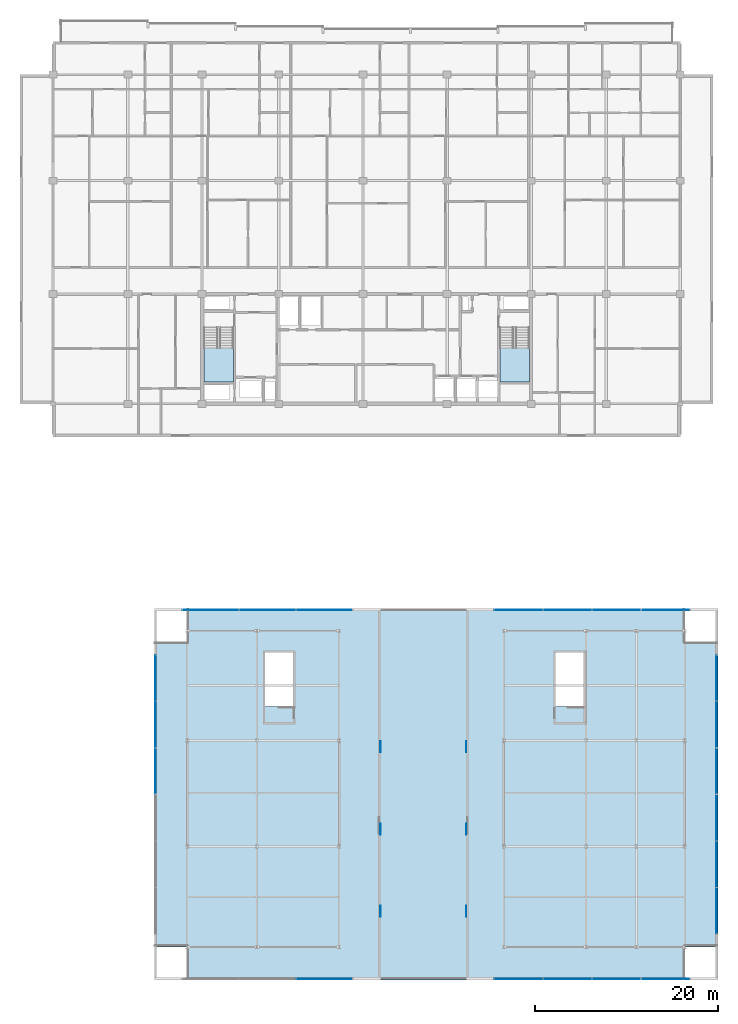
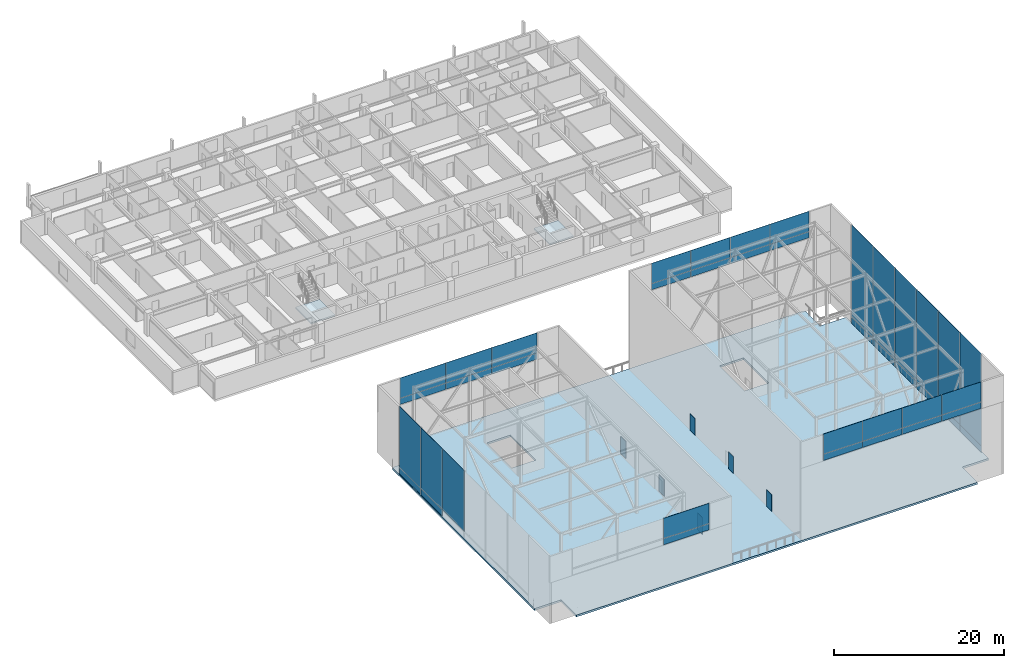
# One storey, part 30 of 42: 47 plates, 3 slabs, 8 elements without a shape of their own.
"""IFC4 building model written with IfcOpenShell, lengths in metres."""

from ifc_helpers import new_model, si_unit, direction, frame, origin, origin_2d, place, context, subcontext, project, spatial, polyline, rectangle, outline, extrude, material, layer, layer_set, type_object, element, aggregate, save


model = new_model("IFC4")

# Units and contexts
model_context = context("Model", 3, precision=1e-05, world=origin(), true_north=direction((0.0, 1.0)))
body_context = subcontext(model_context, "Body", "Model", "MODEL_VIEW")
ifc_project = project(units=[si_unit("LENGTHUNIT", "METRE"), si_unit("AREAUNIT", "SQUARE_METRE"), si_unit("VOLUMEUNIT", "CUBIC_METRE"), si_unit("PLANEANGLEUNIT", "RADIAN"), si_unit("MASSUNIT", "GRAM", prefix="KILO")], contexts=[model_context])

# Site, building, storey
site_placement = place(None, origin())
site = spatial("IfcSite", under=ifc_project, at=site_placement, CompositionType="ELEMENT")
building_placement = place(site_placement, origin())
building = spatial("IfcBuilding", under=site, at=building_placement, Name="Korimba Cascade Residences", CompositionType="ELEMENT")
storey_placement = place(building_placement, frame((0.0, 0.0, 207.60009765625)))
storey = spatial("IfcBuildingStorey", under=building, at=storey_placement, Name="L60", CompositionType="ELEMENT", Elevation=207.60009765625)

# Curtain wall, plates
ifc_material_1 = material(Name="Anodised Aluminium Curtain Wall Framing", Category="aluminium")
ifc_layer_1 = layer(ifc_material_1, 0.179931640625)
ifc_layer_set_1 = layer_set([ifc_layer_1], Name="Anodised Aluminium Curtain Wall Framing")
curtain_wall_type = type_object("IfcCurtainWallType", Name="CW-CRNE-SYS6", PredefinedType="NOTDEFINED", material=ifc_layer_set_1)
curtain_wall_1_placement = place(storey_placement, origin())
curtain_wall_1 = element("IfcCurtainWall", 1, at=curtain_wall_1_placement, inside=storey, type_object=curtain_wall_type, Name="L60 Curtain Wall CW-L60-CRN-W-1", PredefinedType="NOTDEFINED")
ifc_material_2 = material(Name="Insulated Stone-Tone Spandrel Panel", Category="masonry")
ifc_layer_2 = layer(ifc_material_2, 0.0400390625)
ifc_layer_set_2 = layer_set([ifc_layer_2], Name="Insulated Stone-Tone Spandrel Panel")
plate_type_1 = type_object("IfcPlateType", Name="CWP-SPN-40", PredefinedType="USERDEFINED", material=ifc_layer_set_2)
plate_1_placement = place(storey_placement, frame((71.02490234375, 20.14990234375, 0.0), z_axis=(0.0, 0.0, 1.0), x_axis=(0.0, 1.0, 0.0)))
plate_1 = element("IfcPlate", 2, at=plate_1_placement, type_object=plate_type_1, Name="CW-L60-CRN-W-1 Spandrel Panel 5", ObjectType="SPANDREL", PredefinedType="USERDEFINED", context=body_context, shape_type="SweptSolid", body=[
    extrude(rectangle(XDim=5.050048828125, YDim=0.0400390625, at=origin_2d()), origin(), (0.0, 0.0, 1.0), 0.89990234375),
])
plate_2_placement = place(storey_placement, frame((71.02490234375, 25.22998046875, 0.0), z_axis=(0.0, 0.0, 1.0), x_axis=(0.0, 1.0, 0.0)))
plate_2 = element("IfcPlate", 3, at=plate_2_placement, type_object=plate_type_1, Name="CW-L60-CRN-W-1 Spandrel Panel 6", ObjectType="SPANDREL", PredefinedType="USERDEFINED", context=body_context, shape_type="SweptSolid", body=[
    extrude(rectangle(XDim=5.010009765625, YDim=0.0400390625, at=origin_2d()), origin(), (0.0, 0.0, 1.0), 0.89990234375),
])

curtain_wall_2_placement = place(storey_placement, origin())
curtain_wall_2 = element("IfcCurtainWall", 4, at=curtain_wall_2_placement, inside=storey, type_object=curtain_wall_type, Name="L60 Curtain Wall CW-L60-CRN-W-2", PredefinedType="NOTDEFINED")
plate_3_placement = place(storey_placement, frame((77.03662109375, 32.675048828125, 5.849853515625), z_axis=(0.0, 0.0, 1.0), x_axis=(1.0, 0.0, 0.0)))
plate_3 = element("IfcPlate", 5, at=plate_3_placement, type_object=plate_type_1, Name="CW-L60-CRN-W-2 Spandrel Panel 1", ObjectType="SPANDREL", PredefinedType="USERDEFINED", context=body_context, shape_type="SweptSolid", body=[
    extrude(rectangle(XDim=6.143310546875, YDim=0.0400390625, at=origin_2d()), origin(), (0.0, 0.0, 1.0), 0.89990234375),
])
plate_4_placement = place(storey_placement, frame((83.25, 32.675048828125, 5.849853515625), z_axis=(0.0, 0.0, 1.0), x_axis=(1.0, 0.0, 0.0)))
plate_4 = element("IfcPlate", 6, at=plate_4_placement, type_object=plate_type_1, Name="CW-L60-CRN-W-2 Spandrel Panel 2", ObjectType="SPANDREL", PredefinedType="USERDEFINED", context=body_context, shape_type="SweptSolid", body=[
    extrude(rectangle(XDim=6.183349609375, YDim=0.0400390625, at=origin_2d()), origin(), (0.0, 0.0, 1.0), 0.89990234375),
])
plate_5_placement = place(storey_placement, frame((89.46337890625, 32.675048828125, 5.849853515625), z_axis=(0.0, 0.0, 1.0), x_axis=(1.0, 0.0, 0.0)))
plate_5 = element("IfcPlate", 7, at=plate_5_placement, type_object=plate_type_1, Name="CW-L60-CRN-W-2 Spandrel Panel 3", ObjectType="SPANDREL", PredefinedType="USERDEFINED", context=body_context, shape_type="SweptSolid", body=[
    extrude(rectangle(XDim=6.143310546875, YDim=0.0400390625, at=origin_2d()), origin(), (0.0, 0.0, 1.0), 0.89990234375),
])

# Curtain wall, plate
curtain_wall_3_placement = place(storey_placement, origin())
curtain_wall_3 = element("IfcCurtainWall", 8, at=curtain_wall_3_placement, inside=storey, type_object=curtain_wall_type, Name="L60 Curtain Wall CW-L60-CRN-W-3", PredefinedType="NOTDEFINED")
plate_6_placement = place(storey_placement, frame((89.46337890625, -7.675048828125, 5.849853515625), z_axis=(0.0, 0.0, 1.0), x_axis=(1.0, 0.0, 0.0)))
plate_6 = element("IfcPlate", 9, at=plate_6_placement, type_object=plate_type_1, Name="CW-L60-CRN-W-3 Spandrel Panel 3", ObjectType="SPANDREL", PredefinedType="USERDEFINED", context=body_context, shape_type="SweptSolid", body=[
    extrude(rectangle(XDim=6.143310546875, YDim=0.0400390625, at=origin_2d()), origin(), (0.0, 0.0, 1.0), 0.89990234375),
])

# Curtain wall, plates
curtain_wall_4_placement = place(storey_placement, origin())
curtain_wall_4 = element("IfcCurtainWall", 10, at=curtain_wall_4_placement, inside=storey, type_object=curtain_wall_type, Name="L60 Curtain Wall CW-L60-CRN-E-1", PredefinedType="NOTDEFINED")
plate_7_placement = place(storey_placement, frame((132.375, -0.22998046875, 0.0), z_axis=(0.0, 0.0, 1.0), x_axis=(0.0, 1.0, 0.0)))
plate_7 = element("IfcPlate", 11, at=plate_7_placement, type_object=plate_type_1, Name="CW-L60-CRN-E-1 Spandrel Panel 1", ObjectType="SPANDREL", PredefinedType="USERDEFINED", context=body_context, shape_type="SweptSolid", body=[
    extrude(rectangle(XDim=5.010009765625, YDim=0.0400390625, at=origin_2d()), origin(), (0.0, 0.0, 1.0), 0.89990234375),
])
plate_8_placement = place(storey_placement, frame((132.375, 4.85009765625, 0.0), z_axis=(0.0, 0.0, 1.0), x_axis=(0.0, 1.0, 0.0)))
plate_8 = element("IfcPlate", 12, at=plate_8_placement, type_object=plate_type_1, Name="CW-L60-CRN-E-1 Spandrel Panel 2", ObjectType="SPANDREL", PredefinedType="USERDEFINED", context=body_context, shape_type="SweptSolid", body=[
    extrude(rectangle(XDim=5.050048828125, YDim=0.0400390625, at=origin_2d()), origin(), (0.0, 0.0, 1.0), 0.89990234375),
])
plate_9_placement = place(storey_placement, frame((132.375, 9.949951171875, 0.0), z_axis=(0.0, 0.0, 1.0), x_axis=(0.0, 1.0, 0.0)))
plate_9 = element("IfcPlate", 13, at=plate_9_placement, type_object=plate_type_1, Name="CW-L60-CRN-E-1 Spandrel Panel 3", ObjectType="SPANDREL", PredefinedType="USERDEFINED", context=body_context, shape_type="SweptSolid", body=[
    extrude(rectangle(XDim=5.050048828125, YDim=0.0400390625, at=origin_2d()), origin(), (0.0, 0.0, 1.0), 0.89990234375),
])
plate_10_placement = place(storey_placement, frame((132.375, 15.050048828125, 0.0), z_axis=(0.0, 0.0, 1.0), x_axis=(0.0, 1.0, 0.0)))
plate_10 = element("IfcPlate", 14, at=plate_10_placement, type_object=plate_type_1, Name="CW-L60-CRN-E-1 Spandrel Panel 4", ObjectType="SPANDREL", PredefinedType="USERDEFINED", context=body_context, shape_type="SweptSolid", body=[
    extrude(rectangle(XDim=5.050048828125, YDim=0.0400390625, at=origin_2d()), origin(), (0.0, 0.0, 1.0), 0.89990234375),
])
plate_11_placement = place(storey_placement, frame((132.375, 20.14990234375, 0.0), z_axis=(0.0, 0.0, 1.0), x_axis=(0.0, 1.0, 0.0)))
plate_11 = element("IfcPlate", 15, at=plate_11_placement, type_object=plate_type_1, Name="CW-L60-CRN-E-1 Spandrel Panel 5", ObjectType="SPANDREL", PredefinedType="USERDEFINED", context=body_context, shape_type="SweptSolid", body=[
    extrude(rectangle(XDim=5.050048828125, YDim=0.0400390625, at=origin_2d()), origin(), (0.0, 0.0, 1.0), 0.89990234375),
])
plate_12_placement = place(storey_placement, frame((132.375, 25.22998046875, 0.0), z_axis=(0.0, 0.0, 1.0), x_axis=(0.0, 1.0, 0.0)))
plate_12 = element("IfcPlate", 16, at=plate_12_placement, type_object=plate_type_1, Name="CW-L60-CRN-E-1 Spandrel Panel 6", ObjectType="SPANDREL", PredefinedType="USERDEFINED", context=body_context, shape_type="SweptSolid", body=[
    extrude(rectangle(XDim=5.010009765625, YDim=0.0400390625, at=origin_2d()), origin(), (0.0, 0.0, 1.0), 0.89990234375),
])

curtain_wall_5_placement = place(storey_placement, origin())
curtain_wall_5 = element("IfcCurtainWall", 17, at=curtain_wall_5_placement, inside=storey, type_object=curtain_wall_type, Name="L60 Curtain Wall CW-L60-CRN-E-2", PredefinedType="NOTDEFINED")
plate_13_placement = place(storey_placement, frame((110.70751953125, 32.675048828125, 10.349853515625), z_axis=(0.0, 0.0, 1.0), x_axis=(1.0, 0.0, 0.0)))
plate_13 = element("IfcPlate", 18, at=plate_13_placement, type_object=plate_type_1, Name="CW-L60-CRN-E-2 Spandrel Panel 1", ObjectType="SPANDREL", PredefinedType="USERDEFINED", context=body_context, shape_type="SweptSolid", body=[
    extrude(rectangle(XDim=5.284912109375, YDim=0.0400390625, at=origin_2d()), origin(), (0.0, 0.0, 1.0), 0.89990234375),
])
plate_14_placement = place(storey_placement, frame((116.0625, 32.675048828125, 10.349853515625), z_axis=(0.0, 0.0, 1.0), x_axis=(1.0, 0.0, 0.0)))
plate_14 = element("IfcPlate", 19, at=plate_14_placement, type_object=plate_type_1, Name="CW-L60-CRN-E-2 Spandrel Panel 2", ObjectType="SPANDREL", PredefinedType="USERDEFINED", context=body_context, shape_type="SweptSolid", body=[
    extrude(rectangle(XDim=5.324951171875, YDim=0.0400390625, at=origin_2d()), origin(), (0.0, 0.0, 1.0), 0.89990234375),
])
plate_15_placement = place(storey_placement, frame((121.4375, 32.675048828125, 10.349853515625), z_axis=(0.0, 0.0, 1.0), x_axis=(1.0, 0.0, 0.0)))
plate_15 = element("IfcPlate", 20, at=plate_15_placement, type_object=plate_type_1, Name="CW-L60-CRN-E-2 Spandrel Panel 3", ObjectType="SPANDREL", PredefinedType="USERDEFINED", context=body_context, shape_type="SweptSolid", body=[
    extrude(rectangle(XDim=5.324951171875, YDim=0.0400390625, at=origin_2d()), origin(), (0.0, 0.0, 1.0), 0.89990234375),
])
plate_16_placement = place(storey_placement, frame((126.79248046875, 32.675048828125, 10.349853515625), z_axis=(0.0, 0.0, 1.0), x_axis=(1.0, 0.0, 0.0)))
plate_16 = element("IfcPlate", 21, at=plate_16_placement, type_object=plate_type_1, Name="CW-L60-CRN-E-2 Spandrel Panel 4", ObjectType="SPANDREL", PredefinedType="USERDEFINED", context=body_context, shape_type="SweptSolid", body=[
    extrude(rectangle(XDim=5.284912109375, YDim=0.0400390625, at=origin_2d()), origin(), (0.0, 0.0, 1.0), 0.89990234375),
])

curtain_wall_6_placement = place(storey_placement, origin())
curtain_wall_6 = element("IfcCurtainWall", 22, at=curtain_wall_6_placement, inside=storey, type_object=curtain_wall_type, Name="L60 Curtain Wall CW-L60-CRN-E-3", PredefinedType="NOTDEFINED")
plate_17_placement = place(storey_placement, frame((110.70751953125, -7.675048828125, 10.349853515625), z_axis=(0.0, 0.0, 1.0), x_axis=(1.0, 0.0, 0.0)))
plate_17 = element("IfcPlate", 23, at=plate_17_placement, type_object=plate_type_1, Name="CW-L60-CRN-E-3 Spandrel Panel 1", ObjectType="SPANDREL", PredefinedType="USERDEFINED", context=body_context, shape_type="SweptSolid", body=[
    extrude(rectangle(XDim=5.284912109375, YDim=0.0400390625, at=origin_2d()), origin(), (0.0, 0.0, 1.0), 0.89990234375),
])
plate_18_placement = place(storey_placement, frame((116.0625, -7.675048828125, 10.349853515625), z_axis=(0.0, 0.0, 1.0), x_axis=(1.0, 0.0, 0.0)))
plate_18 = element("IfcPlate", 24, at=plate_18_placement, type_object=plate_type_1, Name="CW-L60-CRN-E-3 Spandrel Panel 2", ObjectType="SPANDREL", PredefinedType="USERDEFINED", context=body_context, shape_type="SweptSolid", body=[
    extrude(rectangle(XDim=5.324951171875, YDim=0.0400390625, at=origin_2d()), origin(), (0.0, 0.0, 1.0), 0.89990234375),
])
plate_19_placement = place(storey_placement, frame((121.4375, -7.675048828125, 10.349853515625), z_axis=(0.0, 0.0, 1.0), x_axis=(1.0, 0.0, 0.0)))
plate_19 = element("IfcPlate", 25, at=plate_19_placement, type_object=plate_type_1, Name="CW-L60-CRN-E-3 Spandrel Panel 3", ObjectType="SPANDREL", PredefinedType="USERDEFINED", context=body_context, shape_type="SweptSolid", body=[
    extrude(rectangle(XDim=5.324951171875, YDim=0.0400390625, at=origin_2d()), origin(), (0.0, 0.0, 1.0), 0.89990234375),
])
plate_20_placement = place(storey_placement, frame((126.79248046875, -7.675048828125, 10.349853515625), z_axis=(0.0, 0.0, 1.0), x_axis=(1.0, 0.0, 0.0)))
plate_20 = element("IfcPlate", 26, at=plate_20_placement, type_object=plate_type_1, Name="CW-L60-CRN-E-3 Spandrel Panel 4", ObjectType="SPANDREL", PredefinedType="USERDEFINED", context=body_context, shape_type="SweptSolid", body=[
    extrude(rectangle(XDim=5.284912109375, YDim=0.0400390625, at=origin_2d()), origin(), (0.0, 0.0, 1.0), 0.89990234375),
])

# Plate
ifc_material_3 = material(Name="Low-E Double Glazing Unit", Category="glass")
ifc_layer_3 = layer(ifc_material_3, 0.028076171875)
ifc_layer_set_3 = layer_set([ifc_layer_3], Name="Low-E Double Glazing Unit")
plate_type_2 = type_object("IfcPlateType", Name="CWP-VIS-28", PredefinedType="CURTAIN_PANEL", material=ifc_layer_set_3)
plate_21_placement = place(storey_placement, frame((71.02490234375, 15.050048828125, 0.89990234375), z_axis=(0.0, 0.0, 1.0), x_axis=(0.0, 1.0, 0.0)))
plate_21 = element("IfcPlate", 27, at=plate_21_placement, type_object=plate_type_2, Name="CW-L60-CRN-W-1 Vision Glass Panel 4", PredefinedType="CURTAIN_PANEL", context=body_context, shape_type="SweptSolid", body=[
    extrude(rectangle(XDim=5.050048828125, YDim=0.028076171875, at=origin_2d()), origin(), (0.0, 0.0, 1.0), 8.75),
])

plate_22_placement = place(storey_placement, frame((71.02490234375, 20.14990234375, 0.89990234375), z_axis=(0.0, 0.0, 1.0), x_axis=(0.0, 1.0, 0.0)))
plate_22 = element("IfcPlate", 28, at=plate_22_placement, type_object=plate_type_2, Name="CW-L60-CRN-W-1 Vision Glass Panel 5", PredefinedType="CURTAIN_PANEL", context=body_context, shape_type="SweptSolid", body=[
    extrude(rectangle(XDim=5.050048828125, YDim=0.028076171875, at=origin_2d()), origin(), (0.0, 0.0, 1.0), 8.75),
])

plate_23_placement = place(storey_placement, frame((71.02490234375, 25.22998046875, 0.89990234375), z_axis=(0.0, 0.0, 1.0), x_axis=(0.0, 1.0, 0.0)))
plate_23 = element("IfcPlate", 29, at=plate_23_placement, type_object=plate_type_2, Name="CW-L60-CRN-W-1 Vision Glass Panel 6", PredefinedType="CURTAIN_PANEL", context=body_context, shape_type="SweptSolid", body=[
    extrude(rectangle(XDim=5.010009765625, YDim=0.028076171875, at=origin_2d()), origin(), (0.0, 0.0, 1.0), 8.75),
])

aggregate(curtain_wall_1, [plate_21, plate_1, plate_22, plate_2, plate_23])

plate_24_placement = place(storey_placement, frame((77.03662109375, 32.675048828125, 6.75), z_axis=(0.0, 0.0, 1.0), x_axis=(1.0, 0.0, 0.0)))
plate_24 = element("IfcPlate", 30, at=plate_24_placement, type_object=plate_type_2, Name="CW-L60-CRN-W-2 Vision Glass Panel 1", PredefinedType="CURTAIN_PANEL", context=body_context, shape_type="SweptSolid", body=[
    extrude(rectangle(XDim=6.143310546875, YDim=0.028076171875, at=origin_2d()), origin(), (0.0, 0.0, 1.0), 2.89990234375),
])

plate_25_placement = place(storey_placement, frame((83.25, 32.675048828125, 6.75), z_axis=(0.0, 0.0, 1.0), x_axis=(1.0, 0.0, 0.0)))
plate_25 = element("IfcPlate", 31, at=plate_25_placement, type_object=plate_type_2, Name="CW-L60-CRN-W-2 Vision Glass Panel 2", PredefinedType="CURTAIN_PANEL", context=body_context, shape_type="SweptSolid", body=[
    extrude(rectangle(XDim=6.183349609375, YDim=0.028076171875, at=origin_2d()), origin(), (0.0, 0.0, 1.0), 2.89990234375),
])

plate_26_placement = place(storey_placement, frame((89.46337890625, 32.675048828125, 6.75), z_axis=(0.0, 0.0, 1.0), x_axis=(1.0, 0.0, 0.0)))
plate_26 = element("IfcPlate", 32, at=plate_26_placement, type_object=plate_type_2, Name="CW-L60-CRN-W-2 Vision Glass Panel 3", PredefinedType="CURTAIN_PANEL", context=body_context, shape_type="SweptSolid", body=[
    extrude(rectangle(XDim=6.143310546875, YDim=0.028076171875, at=origin_2d()), origin(), (0.0, 0.0, 1.0), 2.89990234375),
])

aggregate(curtain_wall_2, [plate_3, plate_24, plate_4, plate_25, plate_5, plate_26])

plate_27_placement = place(storey_placement, frame((89.46337890625, -7.675048828125, 6.75), z_axis=(0.0, 0.0, 1.0), x_axis=(1.0, 0.0, 0.0)))
plate_27 = element("IfcPlate", 33, at=plate_27_placement, type_object=plate_type_2, Name="CW-L60-CRN-W-3 Vision Glass Panel 3", PredefinedType="CURTAIN_PANEL", context=body_context, shape_type="SweptSolid", body=[
    extrude(rectangle(XDim=6.143310546875, YDim=0.028076171875, at=origin_2d()), origin(), (0.0, 0.0, 1.0), 2.89990234375),
])

aggregate(curtain_wall_3, [plate_6, plate_27])

plate_28_placement = place(storey_placement, frame((132.375, -0.22998046875, 0.89990234375), z_axis=(0.0, 0.0, 1.0), x_axis=(0.0, 1.0, 0.0)))
plate_28 = element("IfcPlate", 34, at=plate_28_placement, type_object=plate_type_2, Name="CW-L60-CRN-E-1 Vision Glass Panel 1", PredefinedType="CURTAIN_PANEL", context=body_context, shape_type="SweptSolid", body=[
    extrude(rectangle(XDim=5.010009765625, YDim=0.028076171875, at=origin_2d()), origin(), (0.0, 0.0, 1.0), 13.25),
])

plate_29_placement = place(storey_placement, frame((132.375, 4.85009765625, 0.89990234375), z_axis=(0.0, 0.0, 1.0), x_axis=(0.0, 1.0, 0.0)))
plate_29 = element("IfcPlate", 35, at=plate_29_placement, type_object=plate_type_2, Name="CW-L60-CRN-E-1 Vision Glass Panel 2", PredefinedType="CURTAIN_PANEL", context=body_context, shape_type="SweptSolid", body=[
    extrude(rectangle(XDim=5.050048828125, YDim=0.028076171875, at=origin_2d()), origin(), (0.0, 0.0, 1.0), 13.25),
])

plate_30_placement = place(storey_placement, frame((132.375, 9.949951171875, 0.89990234375), z_axis=(0.0, 0.0, 1.0), x_axis=(0.0, 1.0, 0.0)))
plate_30 = element("IfcPlate", 36, at=plate_30_placement, type_object=plate_type_2, Name="CW-L60-CRN-E-1 Vision Glass Panel 3", PredefinedType="CURTAIN_PANEL", context=body_context, shape_type="SweptSolid", body=[
    extrude(rectangle(XDim=5.050048828125, YDim=0.028076171875, at=origin_2d()), origin(), (0.0, 0.0, 1.0), 13.25),
])

plate_31_placement = place(storey_placement, frame((132.375, 15.050048828125, 0.89990234375), z_axis=(0.0, 0.0, 1.0), x_axis=(0.0, 1.0, 0.0)))
plate_31 = element("IfcPlate", 37, at=plate_31_placement, type_object=plate_type_2, Name="CW-L60-CRN-E-1 Vision Glass Panel 4", PredefinedType="CURTAIN_PANEL", context=body_context, shape_type="SweptSolid", body=[
    extrude(rectangle(XDim=5.050048828125, YDim=0.028076171875, at=origin_2d()), origin(), (0.0, 0.0, 1.0), 13.25),
])

plate_32_placement = place(storey_placement, frame((132.375, 20.14990234375, 0.89990234375), z_axis=(0.0, 0.0, 1.0), x_axis=(0.0, 1.0, 0.0)))
plate_32 = element("IfcPlate", 38, at=plate_32_placement, type_object=plate_type_2, Name="CW-L60-CRN-E-1 Vision Glass Panel 5", PredefinedType="CURTAIN_PANEL", context=body_context, shape_type="SweptSolid", body=[
    extrude(rectangle(XDim=5.050048828125, YDim=0.028076171875, at=origin_2d()), origin(), (0.0, 0.0, 1.0), 13.25),
])

plate_33_placement = place(storey_placement, frame((132.375, 25.22998046875, 0.89990234375), z_axis=(0.0, 0.0, 1.0), x_axis=(0.0, 1.0, 0.0)))
plate_33 = element("IfcPlate", 39, at=plate_33_placement, type_object=plate_type_2, Name="CW-L60-CRN-E-1 Vision Glass Panel 6", PredefinedType="CURTAIN_PANEL", context=body_context, shape_type="SweptSolid", body=[
    extrude(rectangle(XDim=5.010009765625, YDim=0.028076171875, at=origin_2d()), origin(), (0.0, 0.0, 1.0), 13.25),
])

aggregate(curtain_wall_4, [plate_7, plate_28, plate_8, plate_29, plate_9, plate_30, plate_10, plate_31, plate_11, plate_32, plate_12, plate_33])

plate_34_placement = place(storey_placement, frame((110.70751953125, 32.675048828125, 11.25), z_axis=(0.0, 0.0, 1.0), x_axis=(1.0, 0.0, 0.0)))
plate_34 = element("IfcPlate", 40, at=plate_34_placement, type_object=plate_type_2, Name="CW-L60-CRN-E-2 Vision Glass Panel 1", PredefinedType="CURTAIN_PANEL", context=body_context, shape_type="SweptSolid", body=[
    extrude(rectangle(XDim=5.284912109375, YDim=0.028076171875, at=origin_2d()), origin(), (0.0, 0.0, 1.0), 2.89990234375),
])

plate_35_placement = place(storey_placement, frame((116.0625, 32.675048828125, 11.25), z_axis=(0.0, 0.0, 1.0), x_axis=(1.0, 0.0, 0.0)))
plate_35 = element("IfcPlate", 41, at=plate_35_placement, type_object=plate_type_2, Name="CW-L60-CRN-E-2 Vision Glass Panel 2", PredefinedType="CURTAIN_PANEL", context=body_context, shape_type="SweptSolid", body=[
    extrude(rectangle(XDim=5.324951171875, YDim=0.028076171875, at=origin_2d()), origin(), (0.0, 0.0, 1.0), 2.89990234375),
])

plate_36_placement = place(storey_placement, frame((121.4375, 32.675048828125, 11.25), z_axis=(0.0, 0.0, 1.0), x_axis=(1.0, 0.0, 0.0)))
plate_36 = element("IfcPlate", 42, at=plate_36_placement, type_object=plate_type_2, Name="CW-L60-CRN-E-2 Vision Glass Panel 3", PredefinedType="CURTAIN_PANEL", context=body_context, shape_type="SweptSolid", body=[
    extrude(rectangle(XDim=5.324951171875, YDim=0.028076171875, at=origin_2d()), origin(), (0.0, 0.0, 1.0), 2.89990234375),
])

plate_37_placement = place(storey_placement, frame((126.79248046875, 32.675048828125, 11.25), z_axis=(0.0, 0.0, 1.0), x_axis=(1.0, 0.0, 0.0)))
plate_37 = element("IfcPlate", 43, at=plate_37_placement, type_object=plate_type_2, Name="CW-L60-CRN-E-2 Vision Glass Panel 4", PredefinedType="CURTAIN_PANEL", context=body_context, shape_type="SweptSolid", body=[
    extrude(rectangle(XDim=5.284912109375, YDim=0.028076171875, at=origin_2d()), origin(), (0.0, 0.0, 1.0), 2.89990234375),
])

aggregate(curtain_wall_5, [plate_13, plate_34, plate_14, plate_35, plate_15, plate_36, plate_16, plate_37])

plate_38_placement = place(storey_placement, frame((110.70751953125, -7.675048828125, 11.25), z_axis=(0.0, 0.0, 1.0), x_axis=(1.0, 0.0, 0.0)))
plate_38 = element("IfcPlate", 44, at=plate_38_placement, type_object=plate_type_2, Name="CW-L60-CRN-E-3 Vision Glass Panel 1", PredefinedType="CURTAIN_PANEL", context=body_context, shape_type="SweptSolid", body=[
    extrude(rectangle(XDim=5.284912109375, YDim=0.028076171875, at=origin_2d()), origin(), (0.0, 0.0, 1.0), 2.89990234375),
])

plate_39_placement = place(storey_placement, frame((116.0625, -7.675048828125, 11.25), z_axis=(0.0, 0.0, 1.0), x_axis=(1.0, 0.0, 0.0)))
plate_39 = element("IfcPlate", 45, at=plate_39_placement, type_object=plate_type_2, Name="CW-L60-CRN-E-3 Vision Glass Panel 2", PredefinedType="CURTAIN_PANEL", context=body_context, shape_type="SweptSolid", body=[
    extrude(rectangle(XDim=5.324951171875, YDim=0.028076171875, at=origin_2d()), origin(), (0.0, 0.0, 1.0), 2.89990234375),
])

plate_40_placement = place(storey_placement, frame((121.4375, -7.675048828125, 11.25), z_axis=(0.0, 0.0, 1.0), x_axis=(1.0, 0.0, 0.0)))
plate_40 = element("IfcPlate", 46, at=plate_40_placement, type_object=plate_type_2, Name="CW-L60-CRN-E-3 Vision Glass Panel 3", PredefinedType="CURTAIN_PANEL", context=body_context, shape_type="SweptSolid", body=[
    extrude(rectangle(XDim=5.324951171875, YDim=0.028076171875, at=origin_2d()), origin(), (0.0, 0.0, 1.0), 2.89990234375),
])

plate_41_placement = place(storey_placement, frame((126.79248046875, -7.675048828125, 11.25), z_axis=(0.0, 0.0, 1.0), x_axis=(1.0, 0.0, 0.0)))
plate_41 = element("IfcPlate", 47, at=plate_41_placement, type_object=plate_type_2, Name="CW-L60-CRN-E-3 Vision Glass Panel 4", PredefinedType="CURTAIN_PANEL", context=body_context, shape_type="SweptSolid", body=[
    extrude(rectangle(XDim=5.284912109375, YDim=0.028076171875, at=origin_2d()), origin(), (0.0, 0.0, 1.0), 2.89990234375),
])

aggregate(curtain_wall_6, [plate_17, plate_38, plate_18, plate_39, plate_19, plate_40, plate_20, plate_41])

# Plates
ifc_material_4 = material(Name="Steel S355", Category="steel")
ifc_layer_4 = layer(ifc_material_4, 0.02001953125)
ifc_layer_set_4 = layer_set([ifc_layer_4], Name="Steel S355")
plate_type_3 = type_object("IfcPlateType", Name="PLT-SCREEN-20", PredefinedType="SHEET", material=ifc_layer_set_4)
for number, where, z_axis, x_axis, name in (
    (48, (95.60009765625, -0.300048828125, 0.0), (0.0, 0.0, 1.0), (1.0, 0.0, 0.0), "L60 Crown W Bronze Perforated Screen 1"),
    (49, (95.60009765625, 8.699951171875, 0.0), (0.0, 0.0, 1.0), (1.0, 0.0, 0.0), "L60 Crown W Bronze Perforated Screen 2"),
    (50, (95.60009765625, 17.699951171875, 0.0), (0.0, 0.0, 1.0), (1.0, 0.0, 0.0), "L60 Crown W Bronze Perforated Screen 3"),
    (51, (105.0, -0.300048828125, 0.0), (0.0, 0.0, 1.0), (1.0, 0.0, 0.0), "L60 Crown E Bronze Perforated Screen 1"),
    (52, (105.0, 8.699951171875, 0.0), (0.0, 0.0, 1.0), (1.0, 0.0, 0.0), "L60 Crown E Bronze Perforated Screen 2"),
    (53, (105.0, 17.699951171875, 0.0), (0.0, 0.0, 1.0), (1.0, 0.0, 0.0), "L60 Crown E Bronze Perforated Screen 3"),
):
    element("IfcPlate", number, at=place(storey_placement, frame(where, z_axis=z_axis, x_axis=x_axis)), inside=storey, type_object=plate_type_3, Name=name, PredefinedType="SHEET", context=body_context, shape_type="SweptSolid", body=[
        extrude(rectangle(XDim=0.0400390625, YDim=1.199951171875, at=origin_2d()), origin(), (0.0, 0.0, 1.0), 2.39990234375),
    ])

# Stair, slab
ifc_material_5 = material(Name="Concrete C50/60", Category="concrete")
stair_type_1 = type_object("IfcStairType", Name="STR-W1-18R-1806", PredefinedType="HALF_TURN_STAIR", material=ifc_material_5)
stair_1_placement = place(storey_placement, origin())
stair_1 = element("IfcStair", 54, at=stair_1_placement, inside=storey, type_object=stair_type_1, Name="L60 Tower 1 West Fire Stair ST-W1", PredefinedType="HALF_TURN_STAIR")
ifc_layer_5 = layer(ifc_material_5, 0.199951171875)
ifc_layer_set_5 = layer_set([ifc_layer_5], Name="Concrete C50/60")
slab_type_1 = type_object("IfcSlabType", Name="SLB-LND-220", PredefinedType="LANDING", material=ifc_layer_set_5)
slab_1_placement = place(storey_placement, frame((0.0, 0.0, 1.4248046875)))
slab_1 = element("IfcSlab", 55, at=slab_1_placement, type_object=slab_type_1, Name="ST-W1 landing 1", PredefinedType="LANDING", context=body_context, shape_type="SweptSolid", body=[
    extrude(outline(polyline([(76.300048828125, 61.31005859375), (76.300048828125, 57.60009765625), (79.5400390625, 57.60009765625), (79.5400390625, 61.31005859375), (76.300048828125, 61.31005859375)])), origin(), (0.0, 0.0, 1.0), 0.2001953125),
])
aggregate(stair_1, [slab_1])

stair_type_2 = type_object("IfcStairType", Name="STR-W2-18R-1806", PredefinedType="HALF_TURN_STAIR", material=ifc_material_5)
stair_2_placement = place(storey_placement, origin())
stair_2 = element("IfcStair", 56, at=stair_2_placement, inside=storey, type_object=stair_type_2, Name="L60 Tower 1 East Fire Stair ST-W2", PredefinedType="HALF_TURN_STAIR")
slab_2_placement = place(storey_placement, frame((0.0, 0.0, 1.4248046875)))
slab_2 = element("IfcSlab", 57, at=slab_2_placement, type_object=slab_type_1, Name="ST-W2 landing 1", PredefinedType="LANDING", context=body_context, shape_type="SweptSolid", body=[
    extrude(outline(polyline([(108.659912109375, 61.31005859375), (108.659912109375, 57.60009765625), (111.89990234375, 57.60009765625), (111.89990234375, 61.31005859375), (108.659912109375, 61.31005859375)])), origin(), (0.0, 0.0, 1.0), 0.2001953125),
])
aggregate(stair_2, [slab_2])

# Slab
ifc_layer_6 = layer(ifc_material_5, 0.27001953125)
ifc_layer_set_6 = layer_set([ifc_layer_6], Name="Concrete C50/60")
slab_type_2 = type_object("IfcSlabType", Name="SLB-ROOF-270", PredefinedType="ROOF", material=ifc_layer_set_6)
slab_3_placement = place(storey_placement, frame((0.0, 0.0, -0.27001953125)))
element("IfcSlab", 58, at=slab_3_placement, inside=storey, type_object=slab_type_2, Name="L60 Tower 2 Crown Structural Roof Deck", PredefinedType="ROOF", context=body_context, shape_type="SweptSolid", body=[
    extrude(outline(polyline([(74.5, -7.800048828125), (128.89990234375, -7.800048828125), (128.89990234375, -4.199951171875), (132.5, -4.199951171875), (132.5, 29.199951171875), (128.89990234375, 29.199951171875), (128.89990234375, 32.800048828125), (74.5, 32.800048828125), (74.5, 29.199951171875), (70.89990234375, 29.199951171875), (70.89990234375, -4.199951171875), (74.5, -4.199951171875), (74.5, -7.800048828125)]), holes=[polyline([(86.239990234375, 22.0849609375), (86.239990234375, 28.0), (83.0, 28.0), (83.0, 22.0849609375), (86.239990234375, 22.0849609375)]), polyline([(117.840087890625, 22.0849609375), (117.840087890625, 28.0), (114.60009765625, 28.0), (114.60009765625, 22.0849609375), (117.840087890625, 22.0849609375)])]), origin(), (0.0, 0.0, 1.0), 0.27001953125),
])

save(model, "model.ifc")
